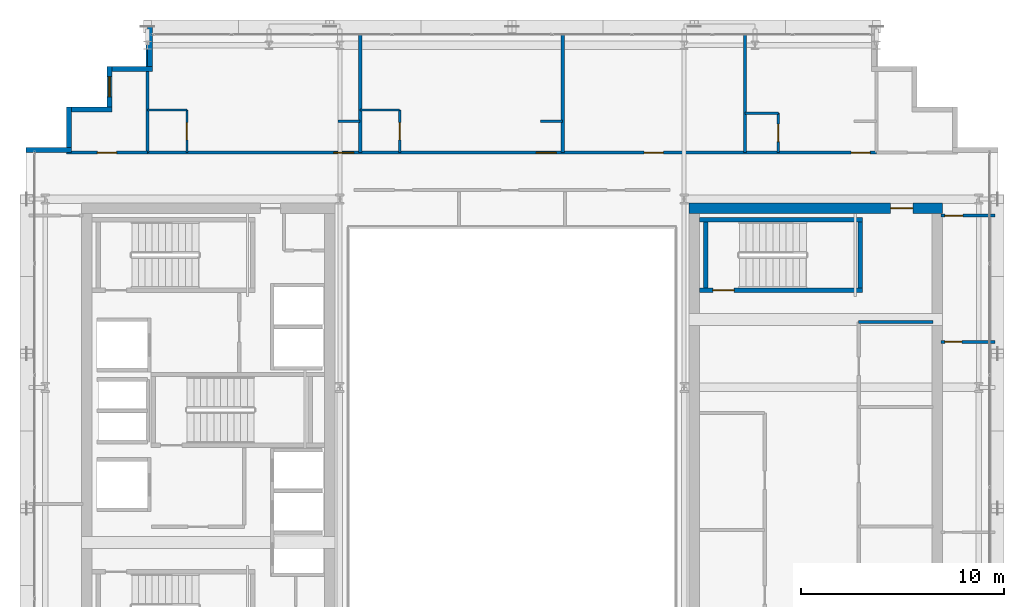
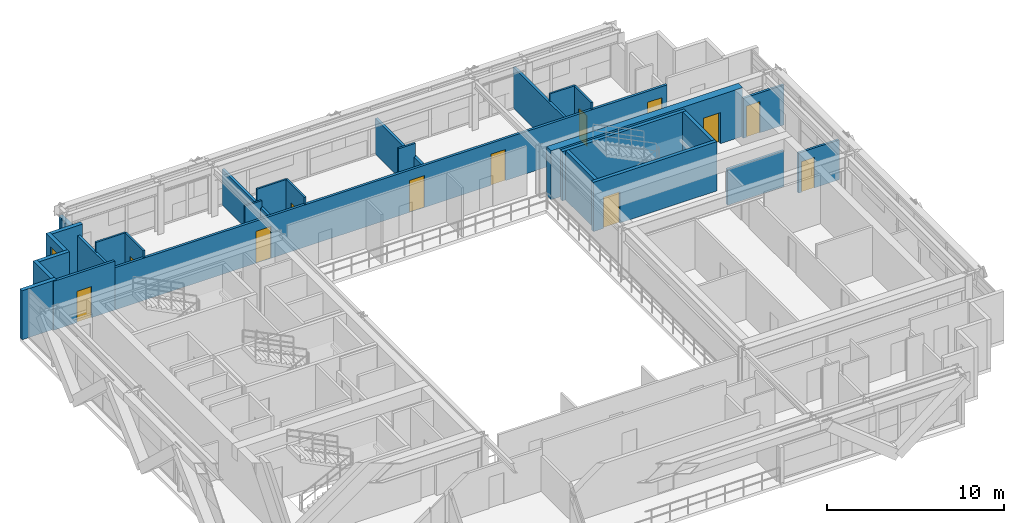
# One storey, part 27 of 32: 28 walls, 12 doors, 1 window, 13 openings.
"""IFC4 building model written with IfcOpenShell, lengths in metres."""

from ifc_helpers import new_model, si_unit, direction, frame, frame_2d, origin, place, context, subcontext, project, spatial, rectangle, extrude, source, transform, mapped, material, layer, layer_set, type_object, element, fill, save


model = new_model("IFC4")

# Units and contexts
model_context = context("Model", 3, precision=1e-05, world=origin(), true_north=direction((0.0, 1.0)))
body_context = subcontext(model_context, "Body", "Model", "MODEL_VIEW")
ifc_project = project(units=[si_unit("LENGTHUNIT", "METRE"), si_unit("AREAUNIT", "SQUARE_METRE"), si_unit("VOLUMEUNIT", "CUBIC_METRE"), si_unit("PLANEANGLEUNIT", "RADIAN"), si_unit("MASSUNIT", "GRAM", prefix="KILO")], contexts=[model_context])

# Site, building, storey
site_placement = place(None, origin())
site = spatial("IfcSite", under=ifc_project, at=site_placement, CompositionType="ELEMENT")
building_placement = place(site_placement, origin())
building = spatial("IfcBuilding", under=site, at=building_placement, Name="Ocotamira Hotel", CompositionType="ELEMENT")
storey_placement = place(building_placement, frame((0.0, 0.0, 213.60009765625)))
storey = spatial("IfcBuildingStorey", under=building, at=storey_placement, Name="L54", CompositionType="ELEMENT", Elevation=213.60009765625)

# Wall, opening, door
ifc_material_1 = material(Name="Concrete C50/60", Category="concrete")
ifc_layer_1 = layer(ifc_material_1, 0.5)
ifc_layer_set_1 = layer_set([ifc_layer_1], Name="Concrete C50/60")
wall_type_1 = type_object("IfcWallType", Name="WL-CORE-500", PredefinedType="SHEAR", material=ifc_layer_set_1)
wall_1_placement = place(storey_placement, frame((40.75, 37.0, 0.0), z_axis=(0.0, 0.0, 1.0), x_axis=(1.0, 0.0, 0.0)))
wall_1 = element("IfcWall", 1, at=wall_1_placement, inside=storey, type_object=wall_type_1, Name="L54 Shear Core Wall ECORE-N", PredefinedType="SHEAR", context=body_context, shape_type="SweptSolid", body=[
    extrude(rectangle(XDim=12.5, YDim=0.5, at=frame_2d((6.25, 0.0))), origin(), (0.0, 0.0, 1.0), 3.369873046875),
])
opening_1_placement = place(wall_1_placement, frame((9.949951171875, 0.0, 0.0)))
opening_1 = element("IfcOpeningElement", 2, at=opening_1_placement, cuts=wall_1, Name="Opening D-FR1", PredefinedType="OPENING", context=body_context, shape_type="SweptSolid", body=[
    extrude(rectangle(XDim=1.10009765625, YDim=2.14990234375, at=frame_2d((0.550048828125, 1.074951171875))), frame((0.0, 0.260009765625, 0.0), z_axis=(0.0, -1.0, 0.0), x_axis=(1.0, 0.0, 0.0)), (0.0, 0.0, 1.0), 0.52001953125),
])
ifc_material_2 = material(Name="Fire-rated acoustic timber-veneer door", Category="wood")
door_type_1 = type_object("IfcDoorType", Name="DR-FIRE-1100", OperationType="NOTDEFINED", PredefinedType="DOOR", material=ifc_material_2)
shared_shape_1 = source(origin(), body_context, "Body", "SweptSolid", [
    extrude(rectangle(XDim=1.10009765625, YDim=2.14990234375, at=frame_2d((0.550048828125, 1.074951171875))), frame((0.0, 0.02490234375, 0.0), z_axis=(0.0, -1.0, 0.0), x_axis=(1.0, 0.0, 0.0)), (0.0, 0.0, 1.0), 0.050048828125),
])
door_1_placement = place(opening_1_placement, origin())
door_1 = element("IfcDoor", 3, at=door_1_placement, inside=storey, type_object=door_type_1, Name="L54 Door ID-L54-ELOB-N-D [ID-L54-ELOB-N-D]", OperationType="SINGLE_SWING_LEFT", OverallHeight=2.14990234375, OverallWidth=1.10009765625, PredefinedType="DOOR", context=body_context, shape_type="MappedRepresentation", body=[
    mapped(shared_shape_1, transform((0.0, 0.0, 0.0), scale=1.0)),
])
fill(opening_1, door_1)

# Walls
ifc_material_3 = material(Name="Precast concrete C45/55", Category="concrete")
ifc_layer_2 = layer(ifc_material_3, 0.25)
ifc_layer_set_2 = layer_set([ifc_layer_2], Name="Precast concrete C45/55")
wall_type_2 = type_object("IfcWallType", Name="WL-EXT-SER-250", PredefinedType="SOLIDWALL", material=ifc_layer_set_2)
wall_2_placement = place(storey_placement, frame((14.125, 46.0, 0.0), z_axis=(0.0, 0.0, 1.0), x_axis=(0.0, -1.0, 0.0)))
element("IfcWall", 4, at=wall_2_placement, inside=storey, type_object=wall_type_2, Name="L54 Serrated Corner Wall 13", PredefinedType="SOLIDWALL", context=body_context, shape_type="SweptSolid", body=[
    extrude(rectangle(XDim=2.0, YDim=0.25, at=frame_2d((1.0, 0.0))), origin(), (0.0, 0.0, 1.0), 2.677001953125),
])
wall_3_placement = place(storey_placement, frame((14.25, 43.875, 0.0), z_axis=(0.0, 0.0, 1.0), x_axis=(-1.0, 0.0, 0.0)))
element("IfcWall", 5, at=wall_3_placement, inside=storey, type_object=wall_type_2, Name="L54 Serrated Corner Wall 14", PredefinedType="SOLIDWALL", context=body_context, shape_type="SweptSolid", body=[
    extrude(rectangle(XDim=2.0, YDim=0.25, at=frame_2d((1.0, 0.0))), origin(), (0.0, 0.0, 1.0), 3.369873046875),
])

# Wall, opening, window
wall_4_placement = place(storey_placement, frame((12.125, 44.0, 0.0), z_axis=(0.0, 0.0, 1.0), x_axis=(0.0, -1.0, 0.0)))
wall_4 = element("IfcWall", 6, at=wall_4_placement, inside=storey, type_object=wall_type_2, Name="L54 Serrated Corner Wall 15", PredefinedType="SOLIDWALL", context=body_context, shape_type="SweptSolid", body=[
    extrude(rectangle(XDim=2.0, YDim=0.25, at=frame_2d((1.0, 0.0))), origin(), (0.0, 0.0, 1.0), 3.369873046875),
])
opening_2_placement = place(wall_4_placement, frame((0.5, 0.0, 0.85009765625)))
opening_2 = element("IfcOpeningElement", 7, at=opening_2_placement, cuts=wall_4, Name="Opening WN-2", PredefinedType="OPENING", context=body_context, shape_type="SweptSolid", body=[
    extrude(rectangle(XDim=1.0, YDim=1.89990234375, at=frame_2d((0.5, 0.949951171875))), frame((0.0, 0.135009765625, 0.0), z_axis=(0.0, -1.0, 0.0), x_axis=(1.0, 0.0, 0.0)), (0.0, 0.0, 1.0), 0.27001953125),
])
ifc_material_4 = material(Name="Double-silver low-E solar glass", Category="glass")
window_type = type_object("IfcWindowType", Name="WIN-SER-1100", PartitioningType="SINGLE_PANEL", PredefinedType="WINDOW", material=ifc_material_4)
shared_shape_2 = source(origin(), body_context, "Body", "SweptSolid", [
    extrude(rectangle(XDim=1.0, YDim=1.89990234375, at=frame_2d((0.5, 0.949951171875))), frame((0.0, 0.030029296875, 0.0), z_axis=(0.0, -1.0, 0.0), x_axis=(1.0, 0.0, 0.0)), (0.0, 0.0, 1.0), 0.06005859375),
])
window_placement = place(opening_2_placement, origin())
window = element("IfcWindow", 8, at=window_placement, inside=storey, type_object=window_type, Name="L54 Serrated Corner Window 15", OverallHeight=1.89990234375, OverallWidth=1.0, PartitioningType="SINGLE_PANEL", PredefinedType="WINDOW", context=body_context, shape_type="MappedRepresentation", body=[
    mapped(shared_shape_2, transform((0.0, 0.0, 0.0), scale=1.0)),
])
fill(opening_2, window)

# Walls
for number, where, z_axis, x_axis, name in (
    (9, (12.25, 41.875, 0.0), (0.0, 0.0, 1.0), (-1.0, 0.0, 0.0), "L54 Serrated Corner Wall 16"),
    (10, (10.125, 42.0, 0.0), (0.0, 0.0, 1.0), (0.0, -1.0, 0.0), "L54 Serrated Corner Wall 17"),
):
    element("IfcWall", number, at=place(storey_placement, frame(where, z_axis=z_axis, x_axis=x_axis)), inside=storey, type_object=wall_type_2, Name=name, PredefinedType="SOLIDWALL", context=body_context, shape_type="SweptSolid", body=[
        extrude(rectangle(XDim=2.0, YDim=0.25, at=frame_2d((1.0, 0.0))), origin(), (0.0, 0.0, 1.0), 3.369873046875),
    ])
wall_5_placement = place(storey_placement, frame((10.25, 39.875, 0.0), z_axis=(0.0, 0.0, 1.0), x_axis=(-1.0, 0.0, 0.0)))
element("IfcWall", 11, at=wall_5_placement, inside=storey, type_object=wall_type_2, Name="L54 Serrated Corner Wall 18", PredefinedType="SOLIDWALL", context=body_context, shape_type="SweptSolid", body=[
    extrude(rectangle(XDim=2.25, YDim=0.25, at=frame_2d((1.125, 0.0))), origin(), (0.0, 0.0, 1.0), 3.369873046875),
])
ifc_material_5 = material(Name="Acoustic double-layer fire gypsum board partition", Category="gypsum")
ifc_layer_3 = layer(ifc_material_5, 0.159912109375)
ifc_layer_set_3 = layer_set([ifc_layer_3], Name="Acoustic double-layer fire gypsum board partition")
wall_type_3 = type_object("IfcWallType", Name="WL-FIRE-160", PredefinedType="PARTITIONING", material=ifc_layer_set_3)
wall_6_placement = place(storey_placement, frame((49.1201171875, 31.3798828125, 0.0), z_axis=(0.0, 0.0, 1.0), x_axis=(1.0, 0.0, 0.0)))
element("IfcWall", 12, at=wall_6_placement, inside=storey, type_object=wall_type_3, Name="L54 Interior Wall PW-L54-EC-FLOW-N", PredefinedType="PARTITIONING", context=body_context, shape_type="SweptSolid", body=[
    extrude(rectangle(XDim=3.679931640625, YDim=0.159912109375, at=frame_2d((1.83984375, 0.0))), origin(), (0.0, 0.0, 1.0), 2.469970703125),
])

# Wall, opening, door
wall_7_placement = place(storey_placement, frame((10.0, 39.75, 0.0), z_axis=(0.0, 0.0, 1.0), x_axis=(1.0, 0.0, 0.0)))
wall_7 = element("IfcWall", 13, at=wall_7_placement, inside=storey, type_object=wall_type_3, Name="L54 Interior Wall PW-L54-Z3F-CNW-CW", PredefinedType="PARTITIONING", context=body_context, shape_type="SweptSolid", body=[
    extrude(rectangle(XDim=4.0, YDim=0.159912109375, at=frame_2d((2.0, 0.0))), origin(), (0.0, 0.0, 1.0), 3.369873046875),
])
opening_3_placement = place(wall_7_placement, frame((1.52001953125, 0.0, 0.0)))
opening_3 = element("IfcOpeningElement", 14, at=opening_3_placement, cuts=wall_7, Name="Opening D-SV4", PredefinedType="OPENING", context=body_context, shape_type="SweptSolid", body=[
    extrude(rectangle(XDim=0.9599609375, YDim=2.14990234375, at=frame_2d((0.47998046875, 1.074951171875))), frame((0.0, 0.08984375, 0.0), z_axis=(0.0, -1.0, 0.0), x_axis=(1.0, 0.0, 0.0)), (0.0, 0.0, 1.0), 0.179931640625),
])
ifc_material_6 = material(Name="Fire-rated accessible walnut salon door", Category="wood")
door_type_2 = type_object("IfcDoorType", Name="DR-SERV-960", OperationType="NOTDEFINED", PredefinedType="DOOR", material=ifc_material_6)
shared_shape_3 = source(origin(), body_context, "Body", "SweptSolid", [
    extrude(rectangle(XDim=0.9599609375, YDim=2.14990234375, at=frame_2d((0.47998046875, 1.074951171875))), frame((0.0, 0.02490234375, 0.0), z_axis=(0.0, -1.0, 0.0), x_axis=(1.0, 0.0, 0.0)), (0.0, 0.0, 1.0), 0.050048828125),
])
door_2_placement = place(opening_3_placement, origin())
door_2 = element("IfcDoor", 15, at=door_2_placement, inside=storey, type_object=door_type_2, Name="L54 Door ID-L54-Z3F-CNW-CD [ID-L54-Z3F-CNW-CD]", OperationType="SINGLE_SWING_LEFT", OverallHeight=2.14990234375, OverallWidth=0.9599609375, PredefinedType="DOOR", context=body_context, shape_type="MappedRepresentation", body=[
    mapped(shared_shape_3, transform((0.0, 0.0, 0.0), scale=1.0)),
])
fill(opening_3, door_2)

# Wall, openings, doors
wall_8_placement = place(storey_placement, frame((14.0, 39.75, 0.0), z_axis=(0.0, 0.0, 1.0), x_axis=(1.0, 0.0, 0.0)))
wall_8 = element("IfcWall", 16, at=wall_8_placement, inside=storey, type_object=wall_type_3, Name="L54 Interior Wall PW-L54-Z3FN-CORRW", PredefinedType="PARTITIONING", context=body_context, shape_type="SweptSolid", body=[
    extrude(rectangle(XDim=36.0, YDim=0.159912109375, at=frame_2d((18.0, 0.0))), origin(), (0.0, 0.0, 1.0), 2.912841796875),
])
opening_4_placement = place(wall_8_placement, frame((9.199951171875, 0.0, 0.0)))
opening_4 = element("IfcOpeningElement", 17, at=opening_4_placement, cuts=wall_8, Name="Opening D-GR2", PredefinedType="OPENING", context=body_context, shape_type="SweptSolid", body=[
    extrude(rectangle(XDim=0.97998046875, YDim=2.199951171875, at=frame_2d((0.489990234375, 1.10009765625))), frame((0.0, 0.08984375, 0.0), z_axis=(0.0, -1.0, 0.0), x_axis=(1.0, 0.0, 0.0)), (0.0, 0.0, 1.0), 0.179931640625),
])
opening_5_placement = place(wall_8_placement, frame((19.199951171875, 0.0, 0.0)))
opening_5 = element("IfcOpeningElement", 18, at=opening_5_placement, cuts=wall_8, Name="Opening D-GR2", PredefinedType="OPENING", context=body_context, shape_type="SweptSolid", body=[
    extrude(rectangle(XDim=0.97998046875, YDim=2.199951171875, at=frame_2d((0.489990234375, 1.10009765625))), frame((0.0, 0.08984375, 0.0), z_axis=(0.0, -1.0, 0.0), x_axis=(1.0, 0.0, 0.0)), (0.0, 0.0, 1.0), 0.179931640625),
])
opening_6_placement = place(wall_8_placement, frame((24.52001953125, 0.0, 0.0)))
opening_6 = element("IfcOpeningElement", 19, at=opening_6_placement, cuts=wall_8, Name="Opening D-SV4", PredefinedType="OPENING", context=body_context, shape_type="SweptSolid", body=[
    extrude(rectangle(XDim=0.9599609375, YDim=2.14990234375, at=frame_2d((0.47998046875, 1.074951171875))), frame((0.0, 0.08984375, 0.0), z_axis=(0.0, -1.0, 0.0), x_axis=(1.0, 0.0, 0.0)), (0.0, 0.0, 1.0), 0.179931640625),
])
opening_7_placement = place(wall_8_placement, frame((34.739990234375, 0.0, 0.0)))
opening_7 = element("IfcOpeningElement", 20, at=opening_7_placement, cuts=wall_8, Name="Opening D-GR1", PredefinedType="OPENING", context=body_context, shape_type="SweptSolid", body=[
    extrude(rectangle(XDim=0.93994140625, YDim=2.14990234375, at=frame_2d((0.469970703125, 1.074951171875))), frame((0.0, 0.08984375, 0.0), z_axis=(0.0, -1.0, 0.0), x_axis=(1.0, 0.0, 0.0)), (0.0, 0.0, 1.0), 0.179931640625),
])
door_3_placement = place(opening_6_placement, origin())
door_3 = element("IfcDoor", 21, at=door_3_placement, inside=storey, type_object=door_type_2, Name="L54 Door ID-L54-Z3FN-AMD3 [ID-L54-Z3FN-AMD3]", OperationType="SINGLE_SWING_LEFT", OverallHeight=2.14990234375, OverallWidth=0.9599609375, PredefinedType="DOOR", context=body_context, shape_type="MappedRepresentation", body=[
    mapped(shared_shape_3, transform((0.0, 0.0, 0.0), scale=1.0)),
])
fill(opening_6, door_3)
ifc_material_7 = material(Name="Solid-core walnut suite entrance fire door", Category="wood")
door_type_3 = type_object("IfcDoorType", Name="DR-GUEST-940", OperationType="NOTDEFINED", PredefinedType="DOOR", material=ifc_material_7)
shared_shape_4 = source(origin(), body_context, "Body", "SweptSolid", [
    extrude(rectangle(XDim=0.93994140625, YDim=2.14990234375, at=frame_2d((0.469970703125, 1.074951171875))), frame((0.0, 0.02490234375, 0.0), z_axis=(0.0, -1.0, 0.0), x_axis=(1.0, 0.0, 0.0)), (0.0, 0.0, 1.0), 0.050048828125),
])
door_4_placement = place(opening_7_placement, origin())
door_4 = element("IfcDoor", 22, at=door_4_placement, inside=storey, type_object=door_type_3, Name="L54 Door ID-L54-Z3FN-RMD4 [ID-L54-Z3FN-RMD4]", OperationType="SINGLE_SWING_RIGHT", OverallHeight=2.14990234375, OverallWidth=0.93994140625, PredefinedType="DOOR", context=body_context, shape_type="MappedRepresentation", body=[
    mapped(shared_shape_4, transform((0.0, 0.0, 0.0), scale=1.0)),
])
fill(opening_7, door_4)
ifc_material_8 = material(Name="Solid-core walnut grand-suite entrance fire door", Category="wood")
door_type_4 = type_object("IfcDoorType", Name="DR-GUEST-980", OperationType="NOTDEFINED", PredefinedType="DOOR", material=ifc_material_8)
shared_shape_5 = source(origin(), body_context, "Body", "SweptSolid", [
    extrude(rectangle(XDim=0.97998046875, YDim=2.199951171875, at=frame_2d((0.489990234375, 1.10009765625))), frame((0.0, 0.02490234375, 0.0), z_axis=(0.0, -1.0, 0.0), x_axis=(1.0, 0.0, 0.0)), (0.0, 0.0, 1.0), 0.050048828125),
])
door_5_placement = place(opening_4_placement, origin())
door_5 = element("IfcDoor", 23, at=door_5_placement, inside=storey, type_object=door_type_4, Name="L54 Door ID-L54-Z3FN-RMD1 [ID-L54-Z3FN-RMD1]", OperationType="SINGLE_SWING_LEFT", OverallHeight=2.199951171875, OverallWidth=0.97998046875, PredefinedType="DOOR", context=body_context, shape_type="MappedRepresentation", body=[
    mapped(shared_shape_5, transform((0.0, 0.0, 0.0), scale=1.0)),
])
fill(opening_4, door_5)
door_6_placement = place(opening_5_placement, origin())
door_6 = element("IfcDoor", 24, at=door_6_placement, inside=storey, type_object=door_type_4, Name="L54 Door ID-L54-Z3FN-RMD2 [ID-L54-Z3FN-RMD2]", OperationType="SINGLE_SWING_RIGHT", OverallHeight=2.199951171875, OverallWidth=0.97998046875, PredefinedType="DOOR", context=body_context, shape_type="MappedRepresentation", body=[
    mapped(shared_shape_5, transform((0.0, 0.0, 0.0), scale=1.0)),
])
fill(opening_5, door_6)

# Wall, opening, door
ifc_material_9 = material(Name="Moisture-resistant en-suite tile and gypsum partition", Category="gypsum")
ifc_layer_4 = layer(ifc_material_9, 0.1201171875)
ifc_layer_set_4 = layer_set([ifc_layer_4], Name="Moisture-resistant en-suite tile and gypsum partition")
wall_type_4 = type_object("IfcWallType", Name="WL-PART-120", PredefinedType="PARTITIONING", material=ifc_layer_set_4)
wall_9_placement = place(storey_placement, frame((15.949951171875, 39.75, 0.0), z_axis=(0.0, 0.0, 1.0), x_axis=(0.0, 1.0, 0.0)))
wall_9 = element("IfcWall", 25, at=wall_9_placement, inside=storey, type_object=wall_type_4, Name="L54 Interior Wall PW-L54-Z3FN-BAE1", PredefinedType="PARTITIONING", context=body_context, shape_type="SweptSolid", body=[
    extrude(rectangle(XDim=2.10009765625, YDim=0.1201171875, at=frame_2d((1.050048828125, 0.0))), origin(), (0.0, 0.0, 1.0), 3.369873046875),
])
opening_8_placement = place(wall_9_placement, frame((0.6201171875, 0.0, 0.0)))
opening_8 = element("IfcOpeningElement", 26, at=opening_8_placement, cuts=wall_9, Name="Opening D-BA1", PredefinedType="OPENING", context=body_context, shape_type="SweptSolid", body=[
    extrude(rectangle(XDim=0.860107421875, YDim=2.10009765625, at=frame_2d((0.43017578125, 1.050048828125))), frame((0.0, 0.070068359375, 0.0), z_axis=(0.0, -1.0, 0.0), x_axis=(1.0, 0.0, 0.0)), (0.0, 0.0, 1.0), 0.14013671875),
])
ifc_material_10 = material(Name="Moisture-sealed en-suite timber door", Category="wood")
door_type_5 = type_object("IfcDoorType", Name="DR-BATH-860", OperationType="NOTDEFINED", PredefinedType="DOOR", material=ifc_material_10)
shared_shape_6 = source(origin(), body_context, "Body", "SweptSolid", [
    extrude(rectangle(XDim=0.860107421875, YDim=2.10009765625, at=frame_2d((0.43017578125, 1.050048828125))), frame((0.0, 0.02490234375, 0.0), z_axis=(0.0, -1.0, 0.0), x_axis=(1.0, 0.0, 0.0)), (0.0, 0.0, 1.0), 0.050048828125),
])
door_7_placement = place(opening_8_placement, origin())
door_7 = element("IfcDoor", 27, at=door_7_placement, inside=storey, type_object=door_type_5, Name="L54 Door ID-L54-Z3FN-BAD1 [ID-L54-Z3FN-BAD1]", OperationType="SINGLE_SWING_RIGHT", OverallHeight=2.10009765625, OverallWidth=0.860107421875, PredefinedType="DOOR", context=body_context, shape_type="MappedRepresentation", body=[
    mapped(shared_shape_6, transform((0.0, 0.0, 0.0), scale=1.0)),
])
fill(opening_8, door_7)

# Walls
wall_10_placement = place(storey_placement, frame((14.0, 41.85009765625, 0.0), z_axis=(0.0, 0.0, 1.0), x_axis=(1.0, 0.0, 0.0)))
element("IfcWall", 28, at=wall_10_placement, inside=storey, type_object=wall_type_4, Name="L54 Interior Wall PW-L54-Z3FN-BAN1", PredefinedType="PARTITIONING", context=body_context, shape_type="SweptSolid", body=[
    extrude(rectangle(XDim=1.949951171875, YDim=0.1201171875, at=frame_2d((0.97509765625, 0.0))), origin(), (0.0, 0.0, 1.0), 3.369873046875),
])
wall_11_placement = place(storey_placement, frame((23.39990234375, 41.300048828125, 0.0), z_axis=(0.0, 0.0, 1.0), x_axis=(1.0, 0.0, 0.0)))
element("IfcWall", 29, at=wall_11_placement, inside=storey, type_object=wall_type_4, Name="L54 Interior Wall PW-L54-Z3FN-DRN1", PredefinedType="PARTITIONING", context=body_context, shape_type="SweptSolid", body=[
    extrude(rectangle(XDim=1.10009765625, YDim=0.1201171875, at=frame_2d((0.550048828125, 0.0))), origin(), (0.0, 0.0, 1.0), 2.912841796875),
])

# Wall, opening, door
wall_12_placement = place(storey_placement, frame((26.449951171875, 39.75, 0.0), z_axis=(0.0, 0.0, 1.0), x_axis=(0.0, 1.0, 0.0)))
wall_12 = element("IfcWall", 30, at=wall_12_placement, inside=storey, type_object=wall_type_4, Name="L54 Interior Wall PW-L54-Z3FN-BAE2", PredefinedType="PARTITIONING", context=body_context, shape_type="SweptSolid", body=[
    extrude(rectangle(XDim=2.10009765625, YDim=0.1201171875, at=frame_2d((1.050048828125, 0.0))), origin(), (0.0, 0.0, 1.0), 3.369873046875),
])
opening_9_placement = place(wall_12_placement, frame((0.6201171875, 0.0, 0.0)))
opening_9 = element("IfcOpeningElement", 31, at=opening_9_placement, cuts=wall_12, Name="Opening D-BA1", PredefinedType="OPENING", context=body_context, shape_type="SweptSolid", body=[
    extrude(rectangle(XDim=0.860107421875, YDim=2.10009765625, at=frame_2d((0.43017578125, 1.050048828125))), frame((0.0, 0.070068359375, 0.0), z_axis=(0.0, -1.0, 0.0), x_axis=(1.0, 0.0, 0.0)), (0.0, 0.0, 1.0), 0.14013671875),
])
door_8_placement = place(opening_9_placement, origin())
door_8 = element("IfcDoor", 32, at=door_8_placement, inside=storey, type_object=door_type_5, Name="L54 Door ID-L54-Z3FN-BAD2 [ID-L54-Z3FN-BAD2]", OperationType="SINGLE_SWING_LEFT", OverallHeight=2.10009765625, OverallWidth=0.860107421875, PredefinedType="DOOR", context=body_context, shape_type="MappedRepresentation", body=[
    mapped(shared_shape_6, transform((0.0, 0.0, 0.0), scale=1.0)),
])
fill(opening_9, door_8)

# Walls
wall_13_placement = place(storey_placement, frame((24.5, 41.85009765625, 0.0), z_axis=(0.0, 0.0, 1.0), x_axis=(1.0, 0.0, 0.0)))
element("IfcWall", 33, at=wall_13_placement, inside=storey, type_object=wall_type_4, Name="L54 Interior Wall PW-L54-Z3FN-BAN2", PredefinedType="PARTITIONING", context=body_context, shape_type="SweptSolid", body=[
    extrude(rectangle(XDim=1.949951171875, YDim=0.1201171875, at=frame_2d((0.97509765625, 0.0))), origin(), (0.0, 0.0, 1.0), 3.369873046875),
])
wall_14_placement = place(storey_placement, frame((33.39990234375, 41.300048828125, 0.0), z_axis=(0.0, 0.0, 1.0), x_axis=(1.0, 0.0, 0.0)))
element("IfcWall", 34, at=wall_14_placement, inside=storey, type_object=wall_type_4, Name="L54 Interior Wall PW-L54-Z3FN-DRN2", PredefinedType="PARTITIONING", context=body_context, shape_type="SweptSolid", body=[
    extrude(rectangle(XDim=1.10009765625, YDim=0.1201171875, at=frame_2d((0.550048828125, 0.0))), origin(), (0.0, 0.0, 1.0), 3.369873046875),
])

# Wall, opening, door
wall_15_placement = place(storey_placement, frame((45.14990234375, 39.75, 0.0), z_axis=(0.0, 0.0, 1.0), x_axis=(0.0, 1.0, 0.0)))
wall_15 = element("IfcWall", 35, at=wall_15_placement, inside=storey, type_object=wall_type_4, Name="L54 Interior Wall PW-L54-Z3FN-BAE4", PredefinedType="PARTITIONING", context=body_context, shape_type="SweptSolid", body=[
    extrude(rectangle(XDim=1.949951171875, YDim=0.1201171875, at=frame_2d((0.97509765625, 0.0))), origin(), (0.0, 0.0, 1.0), 3.369873046875),
])
opening_10_placement = place(wall_15_placement, frame((0.544921875, 0.0, 0.0)))
opening_10 = element("IfcOpeningElement", 36, at=opening_10_placement, cuts=wall_15, Name="Opening D-BA1", PredefinedType="OPENING", context=body_context, shape_type="SweptSolid", body=[
    extrude(rectangle(XDim=0.860107421875, YDim=2.10009765625, at=frame_2d((0.43017578125, 1.050048828125))), frame((0.0, 0.070068359375, 0.0), z_axis=(0.0, -1.0, 0.0), x_axis=(1.0, 0.0, 0.0)), (0.0, 0.0, 1.0), 0.14013671875),
])
door_9_placement = place(opening_10_placement, origin())
door_9 = element("IfcDoor", 37, at=door_9_placement, inside=storey, type_object=door_type_5, Name="L54 Door ID-L54-Z3FN-BAD4 [ID-L54-Z3FN-BAD4]", OperationType="SINGLE_SWING_LEFT", OverallHeight=2.10009765625, OverallWidth=0.860107421875, PredefinedType="DOOR", context=body_context, shape_type="MappedRepresentation", body=[
    mapped(shared_shape_6, transform((0.0, 0.0, 0.0), scale=1.0)),
])
fill(opening_10, door_9)

# Wall
wall_16_placement = place(storey_placement, frame((43.5, 41.699951171875, 0.0), z_axis=(0.0, 0.0, 1.0), x_axis=(1.0, 0.0, 0.0)))
element("IfcWall", 38, at=wall_16_placement, inside=storey, type_object=wall_type_4, Name="L54 Interior Wall PW-L54-Z3FN-BAN4", PredefinedType="PARTITIONING", context=body_context, shape_type="SweptSolid", body=[
    extrude(rectangle(XDim=1.64990234375, YDim=0.1201171875, at=frame_2d((0.824951171875, 0.0))), origin(), (0.0, 0.0, 1.0), 3.369873046875),
])

# Wall, opening, door
ifc_material_11 = material(Name="Acoustic hospitality gypsum board partition", Category="gypsum")
ifc_layer_5 = layer(ifc_material_11, 0.14208984375)
ifc_layer_set_5 = layer_set([ifc_layer_5], Name="Acoustic hospitality gypsum board partition")
wall_type_5 = type_object("IfcWallType", Name="WL-PART-142", PredefinedType="PARTITIONING", material=ifc_layer_set_5)
wall_17_placement = place(storey_placement, frame((53.179931640625, 30.39990234375, 0.0), z_axis=(0.0, 0.0, 1.0), x_axis=(1.0, 0.0, 0.0)))
wall_17 = element("IfcWall", 39, at=wall_17_placement, inside=storey, type_object=wall_type_5, Name="L54 Interior Wall PW-L54-Z3F-EF-DV2", PredefinedType="PARTITIONING", context=body_context, shape_type="SweptSolid", body=[
    extrude(rectangle(XDim=2.66015625, YDim=0.14208984375, at=frame_2d((1.330078125, 0.0))), origin(), (0.0, 0.0, 1.0), 2.7529296875),
])
opening_11_placement = place(wall_17_placement, frame((0.199951171875, 0.0, 0.0)))
opening_11 = element("IfcOpeningElement", 40, at=opening_11_placement, cuts=wall_17, Name="Opening D-SV1", PredefinedType="OPENING", context=body_context, shape_type="SweptSolid", body=[
    extrude(rectangle(XDim=0.840087890625, YDim=2.10009765625, at=frame_2d((0.419921875, 1.050048828125))), frame((0.0, 0.0810546875, 0.0), z_axis=(0.0, -1.0, 0.0), x_axis=(1.0, 0.0, 0.0)), (0.0, 0.0, 1.0), 0.162109375),
])
ifc_material_12 = material(Name="Fire-rated painted steel service door", Category="steel")
door_type_6 = type_object("IfcDoorType", Name="DR-SERV-840", OperationType="NOTDEFINED", PredefinedType="DOOR", material=ifc_material_12)
shared_shape_7 = source(origin(), body_context, "Body", "SweptSolid", [
    extrude(rectangle(XDim=0.840087890625, YDim=2.10009765625, at=frame_2d((0.419921875, 1.050048828125))), frame((0.0, 0.02490234375, 0.0), z_axis=(0.0, -1.0, 0.0), x_axis=(1.0, 0.0, 0.0)), (0.0, 0.0, 1.0), 0.050048828125),
])
door_10_placement = place(opening_11_placement, origin())
door_10 = element("IfcDoor", 41, at=door_10_placement, inside=storey, type_object=door_type_6, Name="L54 Door ID-L54-Z3F-EF-DV2D [ID-L54-Z3F-EF-DV2D]", OperationType="SINGLE_SWING_RIGHT", OverallHeight=2.10009765625, OverallWidth=0.840087890625, PredefinedType="DOOR", context=body_context, shape_type="MappedRepresentation", body=[
    mapped(shared_shape_7, transform((0.0, 0.0, 0.0), scale=1.0)),
])
fill(opening_11, door_10)

ifc_layer_6 = layer(ifc_material_11, 0.14990234375)
ifc_layer_set_6 = layer_set([ifc_layer_6], Name="Acoustic hospitality gypsum board partition")
wall_type_6 = type_object("IfcWallType", Name="WL-PART-150", PredefinedType="PARTITIONING", material=ifc_layer_set_6)
wall_18_placement = place(storey_placement, frame((53.179931640625, 36.639892578125, 0.0), z_axis=(0.0, 0.0, 1.0), x_axis=(1.0, 0.0, 0.0)))
wall_18 = element("IfcWall", 42, at=wall_18_placement, inside=storey, type_object=wall_type_6, Name="L54 Interior Wall PW-L54-Z3F-EF-WN", PredefinedType="PARTITIONING", context=body_context, shape_type="SweptSolid", body=[
    extrude(rectangle(XDim=2.66015625, YDim=0.14990234375, at=frame_2d((1.330078125, 0.0))), origin(), (0.0, 0.0, 1.0), 2.7529296875),
])
opening_12_placement = place(wall_18_placement, frame((0.199951171875, 0.0, 0.0)))
opening_12 = element("IfcOpeningElement", 43, at=opening_12_placement, cuts=wall_18, Name="Opening D-SV2", PredefinedType="OPENING", context=body_context, shape_type="SweptSolid", body=[
    extrude(rectangle(XDim=0.8798828125, YDim=2.14990234375, at=frame_2d((0.43994140625, 1.074951171875))), frame((0.0, 0.0849609375, 0.0), z_axis=(0.0, -1.0, 0.0), x_axis=(1.0, 0.0, 0.0)), (0.0, 0.0, 1.0), 0.169921875),
])
door_type_7 = type_object("IfcDoorType", Name="DR-SERV-880", OperationType="NOTDEFINED", PredefinedType="DOOR", material=ifc_material_12)
shared_shape_8 = source(origin(), body_context, "Body", "SweptSolid", [
    extrude(rectangle(XDim=0.8798828125, YDim=2.14990234375, at=frame_2d((0.43994140625, 1.074951171875))), frame((0.0, 0.02490234375, 0.0), z_axis=(0.0, -1.0, 0.0), x_axis=(1.0, 0.0, 0.0)), (0.0, 0.0, 1.0), 0.050048828125),
])
door_11_placement = place(opening_12_placement, origin())
door_11 = element("IfcDoor", 44, at=door_11_placement, inside=storey, type_object=door_type_7, Name="L54 Door ID-L54-Z3F-EF-DN [ID-L54-Z3F-EF-DN]", OperationType="SINGLE_SWING_LEFT", OverallHeight=2.14990234375, OverallWidth=0.8798828125, PredefinedType="DOOR", context=body_context, shape_type="MappedRepresentation", body=[
    mapped(shared_shape_8, transform((0.0, 0.0, 0.0), scale=1.0)),
])
fill(opening_12, door_11)

# Walls
ifc_material_13 = material(Name="Acoustic double-stud hospitality gypsum partition", Category="gypsum")
ifc_layer_7 = layer(ifc_material_13, 0.159912109375)
ifc_layer_set_7 = layer_set([ifc_layer_7], Name="Acoustic double-stud hospitality gypsum partition")
wall_type_7 = type_object("IfcWallType", Name="WL-PART-160", PredefinedType="PARTITIONING", material=ifc_layer_set_7)
wall_19_placement = place(storey_placement, frame((14.0, 39.75, 0.0), z_axis=(0.0, 0.0, 1.0), x_axis=(0.0, 1.0, 0.0)))
element("IfcWall", 45, at=wall_19_placement, inside=storey, type_object=wall_type_7, Name="L54 Interior Wall PW-L54-Z3FN-PW0", PredefinedType="PARTITIONING", context=body_context, shape_type="SweptSolid", body=[
    extrude(rectangle(XDim=5.889892578125, YDim=0.159912109375, at=frame_2d((2.94482421875, 0.0))), origin(), (0.0, 0.0, 1.0), 2.677001953125),
])
wall_20_placement = place(storey_placement, frame((43.5, 39.75, 0.0), z_axis=(0.0, 0.0, 1.0), x_axis=(0.0, 1.0, 0.0)))
element("IfcWall", 46, at=wall_20_placement, inside=storey, type_object=wall_type_7, Name="L54 Interior Wall PW-L54-Z3FN-PW3", PredefinedType="PARTITIONING", context=body_context, shape_type="SweptSolid", body=[
    extrude(rectangle(XDim=5.889892578125, YDim=0.159912109375, at=frame_2d((2.94482421875, 0.0))), origin(), (0.0, 0.0, 1.0), 2.8330078125),
])
ifc_material_14 = material(Name="Double-stud suite party gypsum partition", Category="gypsum")
ifc_layer_8 = layer(ifc_material_14, 0.175048828125)
ifc_layer_set_8 = layer_set([ifc_layer_8], Name="Double-stud suite party gypsum partition")
wall_type_8 = type_object("IfcWallType", Name="WL-PART-175", PredefinedType="PARTITIONING", material=ifc_layer_set_8)
for number, where, z_axis, x_axis, name in (
    (47, (24.5, 39.75, 0.0), (0.0, 0.0, 1.0), (0.0, 1.0, 0.0), "L54 Interior Wall PW-L54-Z3FN-PW1"),
    (48, (34.5, 39.75, 0.0), (0.0, 0.0, 1.0), (0.0, 1.0, 0.0), "L54 Interior Wall PW-L54-Z3FN-PW2"),
):
    element("IfcWall", number, at=place(storey_placement, frame(where, z_axis=z_axis, x_axis=x_axis)), inside=storey, type_object=wall_type_8, Name=name, PredefinedType="PARTITIONING", context=body_context, shape_type="SweptSolid", body=[
        extrude(rectangle(XDim=5.889892578125, YDim=0.175048828125, at=frame_2d((2.94482421875, 0.0))), origin(), (0.0, 0.0, 1.0), 2.44287109375),
    ])

# Wall, opening, door
ifc_layer_9 = layer(ifc_material_1, 0.219970703125)
ifc_layer_set_9 = layer_set([ifc_layer_9], Name="Concrete C50/60")
wall_type_9 = type_object("IfcWallType", Name="WL-STAIR-220", PredefinedType="SHEAR", material=ifc_layer_set_9)
wall_21_placement = place(storey_placement, frame((41.25, 32.93994140625, 0.0), z_axis=(0.0, 0.0, 1.0), x_axis=(1.0, 0.0, 0.0)))
wall_21 = element("IfcWall", 49, at=wall_21_placement, inside=storey, type_object=wall_type_9, Name="L54 Stair Shaft Structural Wall ST-4-S", PredefinedType="SHEAR", context=body_context, shape_type="SweptSolid", body=[
    extrude(rectangle(XDim=8.06005859375, YDim=0.219970703125, at=frame_2d((4.030029296875, 0.0))), origin(), (0.0, 0.0, 1.0), 3.39990234375),
])
opening_13_placement = place(wall_21_placement, frame((0.669921875, 0.0, 0.0)))
opening_13 = element("IfcOpeningElement", 50, at=opening_13_placement, cuts=wall_21, Name="Opening D-ST2", PredefinedType="OPENING", context=body_context, shape_type="SweptSolid", body=[
    extrude(rectangle(XDim=1.050048828125, YDim=2.14990234375, at=frame_2d((0.52490234375, 1.074951171875))), frame((0.0, 0.1201171875, 0.0), z_axis=(0.0, -1.0, 0.0), x_axis=(1.0, 0.0, 0.0)), (0.0, 0.0, 1.0), 0.239990234375),
])
ifc_material_15 = material(Name="Insulated painted hollow-metal fire exit door", Category="steel")
door_type_8 = type_object("IfcDoorType", Name="DR-STAIR-1050", OperationType="NOTDEFINED", PredefinedType="DOOR", material=ifc_material_15)
shared_shape_9 = source(origin(), body_context, "Body", "SweptSolid", [
    extrude(rectangle(XDim=1.050048828125, YDim=2.14990234375, at=frame_2d((0.52490234375, 1.074951171875))), frame((0.0, 0.02490234375, 0.0), z_axis=(0.0, -1.0, 0.0), x_axis=(1.0, 0.0, 0.0)), (0.0, 0.0, 1.0), 0.050048828125),
])
door_12_placement = place(opening_13_placement, origin())
door_12 = element("IfcDoor", 51, at=door_12_placement, inside=storey, type_object=door_type_8, Name="L54 Door ID-L54-STD-ST-4 [ID-L54-STD-ST-4]", OperationType="SINGLE_SWING_RIGHT", OverallHeight=2.14990234375, OverallWidth=1.050048828125, PredefinedType="DOOR", context=body_context, shape_type="MappedRepresentation", body=[
    mapped(shared_shape_9, transform((0.0, 0.0, 0.0), scale=1.0)),
])
fill(opening_13, door_12)

# Walls
wall_22_placement = place(storey_placement, frame((41.25, 36.43994140625, 0.0), z_axis=(0.0, 0.0, 1.0), x_axis=(1.0, 0.0, 0.0)))
element("IfcWall", 52, at=wall_22_placement, inside=storey, type_object=wall_type_9, Name="L54 Stair Shaft Structural Wall ST-4-N", PredefinedType="SHEAR", context=body_context, shape_type="SweptSolid", body=[
    extrude(rectangle(XDim=8.06005859375, YDim=0.219970703125, at=frame_2d((4.030029296875, 0.0))), origin(), (0.0, 0.0, 1.0), 3.39990234375),
])
for number, where, z_axis, x_axis, name in (
    (53, (41.56005859375, 33.050048828125, 0.0), (0.0, 0.0, 1.0), (0.0, 1.0, 0.0), "L54 Stair Shaft Structural Wall ST-4-W"),
    (54, (49.199951171875, 33.050048828125, 0.0), (0.0, 0.0, 1.0), (0.0, 1.0, 0.0), "L54 Stair Shaft Structural Wall ST-4-E"),
):
    element("IfcWall", number, at=place(storey_placement, frame(where, z_axis=z_axis, x_axis=x_axis)), inside=storey, type_object=wall_type_9, Name=name, PredefinedType="SHEAR", context=body_context, shape_type="SweptSolid", body=[
        extrude(rectangle(XDim=3.280029296875, YDim=0.219970703125, at=frame_2d((1.64013671875, 0.0))), origin(), (0.0, 0.0, 1.0), 3.39990234375),
    ])

save(model, "model.ifc")
